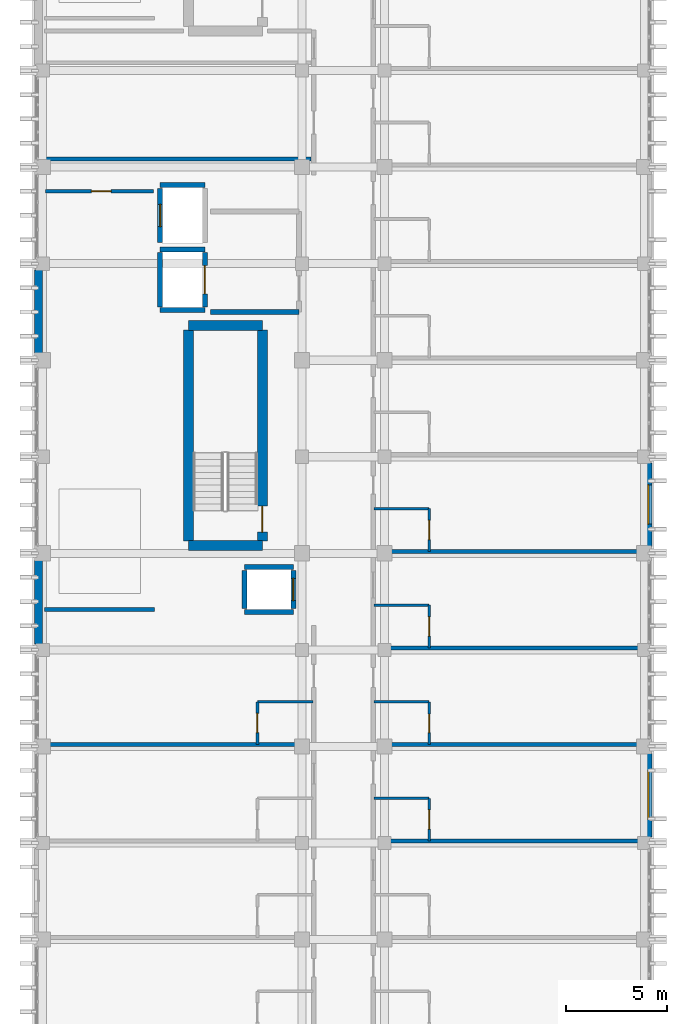
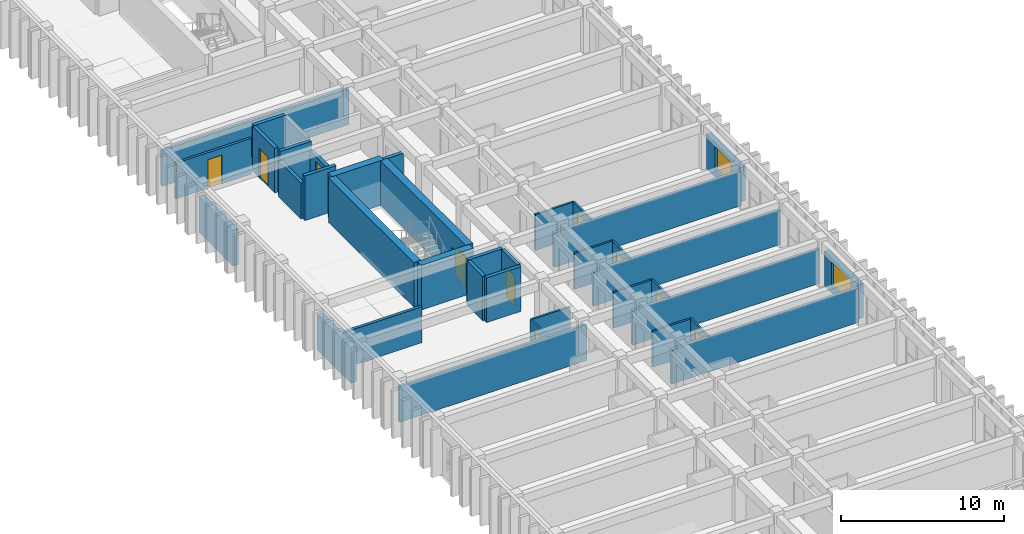
# One storey, part 51 of 64: 37 walls, 10 doors, 2 windows, 12 openings.
"""IFC4 building model written with IfcOpenShell, lengths in metres."""

from ifc_helpers import new_model, si_unit, direction, frame, frame_2d, origin, place, context, subcontext, project, spatial, rectangle, extrude, material, layer, layer_set, type_object, element, fill, save


model = new_model("IFC4")

# Units and contexts
model_context = context("Model", 3, precision=1e-05, world=origin(), true_north=direction((0.0, 1.0)))
body_context = subcontext(model_context, "Body", "Model", "MODEL_VIEW")
ifc_project = project(units=[si_unit("LENGTHUNIT", "METRE"), si_unit("AREAUNIT", "SQUARE_METRE"), si_unit("VOLUMEUNIT", "CUBIC_METRE"), si_unit("PLANEANGLEUNIT", "RADIAN"), si_unit("MASSUNIT", "GRAM", prefix="KILO")], contexts=[model_context])

# Site, building, storey
site_placement = place(None, origin())
site = spatial("IfcSite", under=ifc_project, at=site_placement, CompositionType="ELEMENT")
building_placement = place(site_placement, origin())
building = spatial("IfcBuilding", under=site, at=building_placement, Name="Nakhvara Creek Congress Hotel", CompositionType="ELEMENT")
storey_placement = place(building_placement, frame((0.0, 0.0, 28.199951171875)))
storey = spatial("IfcBuildingStorey", under=building, at=storey_placement, Name="L06", CompositionType="ELEMENT", Elevation=28.199951171875)

# Walls
ifc_material_1 = material(Name="Concrete C50/60", Category="concrete")
ifc_layer_1 = layer(ifc_material_1, 0.5)
ifc_layer_set_1 = layer_set([ifc_layer_1], Name="Concrete C50/60")
wall_type_1 = type_object("IfcWallType", Name="W-CORE-500", PredefinedType="SHEAR", material=ifc_layer_set_1)
for number, where, z_axis, x_axis, name in (
    (1, (156.699951171875, 77.179931640625, 0.0), (0.0, 0.0, 1.0), (1.0, 0.0, 0.0), "Core Shear Wall WS01-CWALL-L06-0145"),
    (2, (156.699951171875, 88.1201171875, 0.0), (0.0, 0.0, 1.0), (1.0, 0.0, 0.0), "Core Shear Wall WS01-CWALL-L06-0146"),
):
    element("IfcWall", number, at=place(storey_placement, frame(where, z_axis=z_axis, x_axis=x_axis)), inside=storey, type_object=wall_type_1, Name=name, PredefinedType="SHEAR", context=body_context, shape_type="SweptSolid", body=[
        extrude(rectangle(XDim=3.670166015625, YDim=0.5, at=frame_2d((1.8349609375, 0.0))), origin(), (0.0, 0.0, 1.0), 3.340087890625),
    ])
wall_1_placement = place(storey_placement, frame((156.699951171875, 77.39990234375, 0.0), z_axis=(0.0, 0.0, 1.0), x_axis=(0.0, 1.0, 0.0)))
element("IfcWall", 3, at=wall_1_placement, inside=storey, type_object=wall_type_1, Name="Core Shear Wall WS01-CWALL-L06-0147", PredefinedType="SHEAR", context=body_context, shape_type="SweptSolid", body=[
    extrude(rectangle(XDim=10.5, YDim=0.5, at=frame_2d((5.25, 0.0))), origin(), (0.0, 0.0, 1.0), 3.340087890625),
])

# Wall, opening, door
wall_2_placement = place(storey_placement, frame((160.3701171875, 77.39990234375, 0.0), z_axis=(0.0, 0.0, 1.0), x_axis=(0.0, 1.0, 0.0)))
wall_2 = element("IfcWall", 4, at=wall_2_placement, inside=storey, type_object=wall_type_1, Name="Core Shear Wall WS01-CWALL-L06-0148", PredefinedType="SHEAR", context=body_context, shape_type="SweptSolid", body=[
    extrude(rectangle(XDim=10.5, YDim=0.5, at=frame_2d((5.25, 0.0))), origin(), (0.0, 0.0, 1.0), 3.340087890625),
])
opening_1_placement = place(wall_2_placement, frame((0.449951171875, 0.0, 0.0)))
opening_1 = element("IfcOpeningElement", 5, at=opening_1_placement, cuts=wall_2, Name="Opening FD04", PredefinedType="OPENING", context=body_context, shape_type="SweptSolid", body=[
    extrude(rectangle(XDim=1.300048828125, YDim=2.14990234375, at=frame_2d((0.64990234375, 1.074951171875))), frame((0.0, 0.261962890625, 0.0), z_axis=(0.0, -1.0, 0.0), x_axis=(1.0, 0.0, 0.0)), (0.0, 0.0, 1.0), 0.52392578125),
])
ifc_material_2 = material(Name="Powder-coated steel fire door", Category="steel")
door_type_1 = type_object("IfcDoorType", Name="DT-STAIR-130", OperationType="NOTDEFINED", PredefinedType="DOOR", material=ifc_material_2)
door_1_placement = place(opening_1_placement, frame((1.300048828125, 0.0, 0.0), z_axis=(0.0, 0.0, 1.0), x_axis=(-1.0, 0.0, 0.0)))
door_1 = element("IfcDoor", 6, at=door_1_placement, inside=storey, type_object=door_type_1, Name="Stair Exit Door ST01-L06", OperationType="SINGLE_SWING_LEFT", OverallHeight=2.14990234375, OverallWidth=1.300048828125, PredefinedType="DOOR", context=body_context, shape_type="SweptSolid", body=[
    extrude(rectangle(XDim=1.300048828125, YDim=2.14990234375, at=frame_2d((0.64990234375, 1.074951171875))), frame((0.0, 0.02490234375, 0.0), z_axis=(0.0, -1.0, 0.0), x_axis=(1.0, 0.0, 0.0)), (0.0, 0.0, 1.0), 0.050048828125),
])
fill(opening_1, door_1)

ifc_material_3 = material(Name="Moisture-resistant gypsum board partition")
ifc_layer_2 = layer(ifc_material_3, 0.139892578125)
ifc_layer_set_2 = layer_set([ifc_layer_2], Name="Moisture-resistant gypsum board partition")
wall_type_2 = type_object("IfcWallType", Name="W-ENS-140", PredefinedType="PARTITIONING", material=ifc_layer_set_2)
wall_3_placement = place(storey_placement, frame((160.1298828125, 67.300048828125, 0.0), z_axis=(0.0, 0.0, 1.0), x_axis=(0.0, 1.0, 0.0)))
wall_3 = element("IfcWall", 7, at=wall_3_placement, inside=storey, type_object=wall_type_2, Name="Interior Wall WP15-IW-L06-0463", PredefinedType="PARTITIONING", context=body_context, shape_type="SweptSolid", body=[
    extrude(rectangle(XDim=2.115966796875, YDim=0.139892578125, at=frame_2d((1.05810546875, 0.0))), origin(), (0.0, 0.0, 1.0), 2.68212890625),
])
opening_2_placement = place(wall_3_placement, frame((0.5830078125, 0.0, 0.0)))
opening_2 = element("IfcOpeningElement", 8, at=opening_2_placement, cuts=wall_3, Name="Opening ID02", PredefinedType="OPENING", context=body_context, shape_type="SweptSolid", body=[
    extrude(rectangle(XDim=0.9599609375, YDim=2.1201171875, at=frame_2d((0.47998046875, 1.06005859375))), frame((0.0, 0.08203125, 0.0), z_axis=(0.0, -1.0, 0.0), x_axis=(1.0, 0.0, 0.0)), (0.0, 0.0, 1.0), 0.163818359375),
])
ifc_material_4 = material(Name="Moisture-resistant walnut timber door", Category="wood")
door_type_2 = type_object("IfcDoorType", Name="DT-ENS-096", OperationType="NOTDEFINED", PredefinedType="DOOR", material=ifc_material_4)
door_2_placement = place(opening_2_placement, origin())
door_2 = element("IfcDoor", 9, at=door_2_placement, inside=storey, type_object=door_type_2, Name="Interior Door ID02-0359", OperationType="SINGLE_SWING_RIGHT", OverallHeight=2.1201171875, OverallWidth=0.9599609375, PredefinedType="DOOR", context=body_context, shape_type="SweptSolid", body=[
    extrude(rectangle(XDim=0.9599609375, YDim=2.1201171875, at=frame_2d((0.47998046875, 1.06005859375))), frame((0.0, 0.02490234375, 0.0), z_axis=(0.0, -1.0, 0.0), x_axis=(1.0, 0.0, 0.0)), (0.0, 0.0, 1.0), 0.050048828125),
])
fill(opening_2, door_2)

# Wall
wall_4_placement = place(storey_placement, frame((160.1298828125, 69.416015625, 0.0), z_axis=(0.0, 0.0, 1.0), x_axis=(1.0, 0.0, 0.0)))
element("IfcWall", 10, at=wall_4_placement, inside=storey, type_object=wall_type_2, Name="Interior Wall WP15-IW-L06-0464", PredefinedType="PARTITIONING", context=body_context, shape_type="SweptSolid", body=[
    extrude(rectangle(XDim=2.75, YDim=0.139892578125, at=frame_2d((1.375, 0.0))), origin(), (0.0, 0.0, 1.0), 2.68212890625),
])

# Wall, opening, door
wall_5_placement = place(storey_placement, frame((168.669921875, 62.5, 0.0), z_axis=(0.0, 0.0, 1.0), x_axis=(0.0, 1.0, 0.0)))
wall_5 = element("IfcWall", 11, at=wall_5_placement, inside=storey, type_object=wall_type_2, Name="Interior Wall WP15-IW-L06-0480", PredefinedType="PARTITIONING", context=body_context, shape_type="SweptSolid", body=[
    extrude(rectangle(XDim=2.115966796875, YDim=0.139892578125, at=frame_2d((1.05810546875, 0.0))), origin(), (0.0, 0.0, 1.0), 2.68212890625),
])
opening_3_placement = place(wall_5_placement, frame((0.5830078125, 0.0, 0.0)))
opening_3 = element("IfcOpeningElement", 12, at=opening_3_placement, cuts=wall_5, Name="Opening ID02", PredefinedType="OPENING", context=body_context, shape_type="SweptSolid", body=[
    extrude(rectangle(XDim=0.9599609375, YDim=2.1201171875, at=frame_2d((0.47998046875, 1.06005859375))), frame((0.0, 0.08203125, 0.0), z_axis=(0.0, -1.0, 0.0), x_axis=(1.0, 0.0, 0.0)), (0.0, 0.0, 1.0), 0.163818359375),
])
door_3_placement = place(opening_3_placement, frame((0.9599609375, 0.0, 0.0), z_axis=(0.0, 0.0, 1.0), x_axis=(-1.0, 0.0, 0.0)))
door_3 = element("IfcDoor", 13, at=door_3_placement, inside=storey, type_object=door_type_2, Name="Interior Door ID02-0371", OperationType="SINGLE_SWING_RIGHT", OverallHeight=2.1201171875, OverallWidth=0.9599609375, PredefinedType="DOOR", context=body_context, shape_type="SweptSolid", body=[
    extrude(rectangle(XDim=0.9599609375, YDim=2.1201171875, at=frame_2d((0.47998046875, 1.06005859375))), frame((0.0, 0.02490234375, 0.0), z_axis=(0.0, -1.0, 0.0), x_axis=(1.0, 0.0, 0.0)), (0.0, 0.0, 1.0), 0.050048828125),
])
fill(opening_3, door_3)

# Wall
wall_6_placement = place(storey_placement, frame((165.919921875, 64.615966796875, 0.0), z_axis=(0.0, 0.0, 1.0), x_axis=(1.0, 0.0, 0.0)))
element("IfcWall", 14, at=wall_6_placement, inside=storey, type_object=wall_type_2, Name="Interior Wall WP15-IW-L06-0481", PredefinedType="PARTITIONING", context=body_context, shape_type="SweptSolid", body=[
    extrude(rectangle(XDim=2.75, YDim=0.139892578125, at=frame_2d((1.375, 0.0))), origin(), (0.0, 0.0, 1.0), 2.68212890625),
])

# Wall, opening, door
wall_7_placement = place(storey_placement, frame((168.669921875, 67.300048828125, 0.0), z_axis=(0.0, 0.0, 1.0), x_axis=(0.0, 1.0, 0.0)))
wall_7 = element("IfcWall", 15, at=wall_7_placement, inside=storey, type_object=wall_type_2, Name="Interior Wall WP15-IW-L06-0483", PredefinedType="PARTITIONING", context=body_context, shape_type="SweptSolid", body=[
    extrude(rectangle(XDim=2.115966796875, YDim=0.139892578125, at=frame_2d((1.05810546875, 0.0))), origin(), (0.0, 0.0, 1.0), 2.68212890625),
])
opening_4_placement = place(wall_7_placement, frame((0.5830078125, 0.0, 0.0)))
opening_4 = element("IfcOpeningElement", 16, at=opening_4_placement, cuts=wall_7, Name="Opening ID01", PredefinedType="OPENING", context=body_context, shape_type="SweptSolid", body=[
    extrude(rectangle(XDim=0.919921875, YDim=2.10009765625, at=frame_2d((0.4599609375, 1.050048828125))), frame((0.0, 0.08203125, 0.0), z_axis=(0.0, -1.0, 0.0), x_axis=(1.0, 0.0, 0.0)), (0.0, 0.0, 1.0), 0.163818359375),
])
door_type_3 = type_object("IfcDoorType", Name="DT-ENS-092", OperationType="NOTDEFINED", PredefinedType="DOOR", material=ifc_material_4)
door_4_placement = place(opening_4_placement, frame((0.919921875, 0.0, 0.0), z_axis=(0.0, 0.0, 1.0), x_axis=(-1.0, 0.0, 0.0)))
door_4 = element("IfcDoor", 17, at=door_4_placement, inside=storey, type_object=door_type_3, Name="Interior Door ID01-0373", OperationType="SINGLE_SWING_RIGHT", OverallHeight=2.10009765625, OverallWidth=0.919921875, PredefinedType="DOOR", context=body_context, shape_type="SweptSolid", body=[
    extrude(rectangle(XDim=0.919921875, YDim=2.10009765625, at=frame_2d((0.4599609375, 1.050048828125))), frame((0.0, 0.02490234375, 0.0), z_axis=(0.0, -1.0, 0.0), x_axis=(1.0, 0.0, 0.0)), (0.0, 0.0, 1.0), 0.050048828125),
])
fill(opening_4, door_4)

# Wall
wall_8_placement = place(storey_placement, frame((165.919921875, 69.416015625, 0.0), z_axis=(0.0, 0.0, 1.0), x_axis=(1.0, 0.0, 0.0)))
element("IfcWall", 18, at=wall_8_placement, inside=storey, type_object=wall_type_2, Name="Interior Wall WP15-IW-L06-0484", PredefinedType="PARTITIONING", context=body_context, shape_type="SweptSolid", body=[
    extrude(rectangle(XDim=2.75, YDim=0.139892578125, at=frame_2d((1.375, 0.0))), origin(), (0.0, 0.0, 1.0), 2.68212890625),
])

# Wall, opening, door
wall_9_placement = place(storey_placement, frame((168.669921875, 72.10009765625, 0.0), z_axis=(0.0, 0.0, 1.0), x_axis=(0.0, 1.0, 0.0)))
wall_9 = element("IfcWall", 19, at=wall_9_placement, inside=storey, type_object=wall_type_2, Name="Interior Wall WP15-IW-L06-0486", PredefinedType="PARTITIONING", context=body_context, shape_type="SweptSolid", body=[
    extrude(rectangle(XDim=2.115966796875, YDim=0.139892578125, at=frame_2d((1.05810546875, 0.0))), origin(), (0.0, 0.0, 1.0), 2.68212890625),
])
opening_5_placement = place(wall_9_placement, frame((0.5830078125, 0.0, 0.0)))
opening_5 = element("IfcOpeningElement", 20, at=opening_5_placement, cuts=wall_9, Name="Opening ID02", PredefinedType="OPENING", context=body_context, shape_type="SweptSolid", body=[
    extrude(rectangle(XDim=0.9599609375, YDim=2.1201171875, at=frame_2d((0.47998046875, 1.06005859375))), frame((0.0, 0.08203125, 0.0), z_axis=(0.0, -1.0, 0.0), x_axis=(1.0, 0.0, 0.0)), (0.0, 0.0, 1.0), 0.163818359375),
])
door_5_placement = place(opening_5_placement, frame((0.9599609375, 0.0, 0.0), z_axis=(0.0, 0.0, 1.0), x_axis=(-1.0, 0.0, 0.0)))
door_5 = element("IfcDoor", 21, at=door_5_placement, inside=storey, type_object=door_type_2, Name="Interior Door ID02-0375", OperationType="SINGLE_SWING_RIGHT", OverallHeight=2.1201171875, OverallWidth=0.9599609375, PredefinedType="DOOR", context=body_context, shape_type="SweptSolid", body=[
    extrude(rectangle(XDim=0.9599609375, YDim=2.1201171875, at=frame_2d((0.47998046875, 1.06005859375))), frame((0.0, 0.02490234375, 0.0), z_axis=(0.0, -1.0, 0.0), x_axis=(1.0, 0.0, 0.0)), (0.0, 0.0, 1.0), 0.050048828125),
])
fill(opening_5, door_5)

# Wall
wall_10_placement = place(storey_placement, frame((165.919921875, 74.216064453125, 0.0), z_axis=(0.0, 0.0, 1.0), x_axis=(1.0, 0.0, 0.0)))
element("IfcWall", 22, at=wall_10_placement, inside=storey, type_object=wall_type_2, Name="Interior Wall WP15-IW-L06-0487", PredefinedType="PARTITIONING", context=body_context, shape_type="SweptSolid", body=[
    extrude(rectangle(XDim=2.75, YDim=0.139892578125, at=frame_2d((1.375, 0.0))), origin(), (0.0, 0.0, 1.0), 2.68212890625),
])

# Wall, opening, door
wall_11_placement = place(storey_placement, frame((168.669921875, 76.89990234375, 0.0), z_axis=(0.0, 0.0, 1.0), x_axis=(0.0, 1.0, 0.0)))
wall_11 = element("IfcWall", 23, at=wall_11_placement, inside=storey, type_object=wall_type_2, Name="Interior Wall WP15-IW-L06-0489", PredefinedType="PARTITIONING", context=body_context, shape_type="SweptSolid", body=[
    extrude(rectangle(XDim=2.1162109375, YDim=0.139892578125, at=frame_2d((1.05810546875, 0.0))), origin(), (0.0, 0.0, 1.0), 2.68212890625),
])
opening_6_placement = place(wall_11_placement, frame((0.5830078125, 0.0, 0.0)))
opening_6 = element("IfcOpeningElement", 24, at=opening_6_placement, cuts=wall_11, Name="Opening ID02", PredefinedType="OPENING", context=body_context, shape_type="SweptSolid", body=[
    extrude(rectangle(XDim=0.9599609375, YDim=2.1201171875, at=frame_2d((0.47998046875, 1.06005859375))), frame((0.0, 0.08203125, 0.0), z_axis=(0.0, -1.0, 0.0), x_axis=(1.0, 0.0, 0.0)), (0.0, 0.0, 1.0), 0.163818359375),
])
door_6_placement = place(opening_6_placement, frame((0.9599609375, 0.0, 0.0), z_axis=(0.0, 0.0, 1.0), x_axis=(-1.0, 0.0, 0.0)))
door_6 = element("IfcDoor", 25, at=door_6_placement, inside=storey, type_object=door_type_2, Name="Interior Door ID02-0377", OperationType="SINGLE_SWING_RIGHT", OverallHeight=2.1201171875, OverallWidth=0.9599609375, PredefinedType="DOOR", context=body_context, shape_type="SweptSolid", body=[
    extrude(rectangle(XDim=0.9599609375, YDim=2.1201171875, at=frame_2d((0.47998046875, 1.06005859375))), frame((0.0, 0.02490234375, 0.0), z_axis=(0.0, -1.0, 0.0), x_axis=(1.0, 0.0, 0.0)), (0.0, 0.0, 1.0), 0.050048828125),
])
fill(opening_6, door_6)

# Wall
wall_12_placement = place(storey_placement, frame((165.919921875, 79.01611328125, 0.0), z_axis=(0.0, 0.0, 1.0), x_axis=(1.0, 0.0, 0.0)))
element("IfcWall", 26, at=wall_12_placement, inside=storey, type_object=wall_type_2, Name="Interior Wall WP15-IW-L06-0490", PredefinedType="PARTITIONING", context=body_context, shape_type="SweptSolid", body=[
    extrude(rectangle(XDim=2.75, YDim=0.139892578125, at=frame_2d((1.375, 0.0))), origin(), (0.0, 0.0, 1.0), 2.68212890625),
])

# Wall, opening, window
ifc_material_5 = material(Name="Honed pale Omani limestone cladding", Category="masonry")
ifc_layer_3 = layer(ifc_material_5, 0.050048828125)
ifc_material_6 = material(Name="Mineral wool thermal insulation")
ifc_layer_4 = layer(ifc_material_6, 0.110107421875)
ifc_material_7 = material(Name="Precast concrete C40/50", Category="concrete")
ifc_layer_5 = layer(ifc_material_7, 0.219970703125)
ifc_layer_set_3 = layer_set([ifc_layer_3, ifc_layer_4, ifc_layer_5], Name="Precast concrete C40/50")
wall_type_3 = type_object("IfcWallType", Name="W-EXT-380", PredefinedType="SOLIDWALL", material=ifc_layer_set_3)
wall_13_placement = place(storey_placement, frame((179.56005859375, 66.85009765625, 0.0), z_axis=(0.0, 0.0, 1.0), x_axis=(0.0, -1.0, 0.0)))
wall_13 = element("IfcWall", 27, at=wall_13_placement, inside=storey, type_object=wall_type_3, Name="Exterior Wall WE03-EW-L06-0167", PredefinedType="SOLIDWALL", context=body_context, shape_type="SweptSolid", body=[
    extrude(rectangle(XDim=4.150146484375, YDim=0.3798828125, at=frame_2d((2.0751953125, 0.0))), origin(), (0.0, 0.0, 1.0), 2.58203125),
])
opening_7_placement = place(wall_13_placement, frame((0.875, 0.0, 0.550048828125)))
opening_7 = element("IfcOpeningElement", 28, at=opening_7_placement, cuts=wall_13, Name="Opening WN0181", PredefinedType="OPENING", context=body_context, shape_type="SweptSolid", body=[
    extrude(rectangle(XDim=2.39990234375, YDim=1.800048828125, at=frame_2d((1.199951171875, 0.89990234375))), frame((0.0, 0.201904296875, 0.0), z_axis=(0.0, -1.0, 0.0), x_axis=(1.0, 0.0, 0.0)), (0.0, 0.0, 1.0), 0.40380859375),
])
ifc_material_8 = material(Name="Thermally broken bronze-anodised aluminium and double-silver low-E insulated glass", Category="aluminium")
window_type_1 = type_object("IfcWindowType", Name="WN-LAN-240X240", PartitioningType="SINGLE_PANEL", PredefinedType="WINDOW", material=ifc_material_8)
window_1_placement = place(opening_7_placement, origin())
window_1 = element("IfcWindow", 29, at=window_1_placement, inside=storey, type_object=window_type_1, Name="Facade Window WN0181", OverallHeight=1.800048828125, OverallWidth=2.39990234375, PartitioningType="SINGLE_PANEL", PredefinedType="WINDOW", context=body_context, shape_type="SweptSolid", body=[
    extrude(rectangle(XDim=2.39990234375, YDim=1.800048828125, at=frame_2d((1.199951171875, 0.89990234375))), frame((0.0, 0.030029296875, 0.0), z_axis=(0.0, -1.0, 0.0), x_axis=(1.0, 0.0, 0.0)), (0.0, 0.0, 1.0), 0.06005859375),
])
fill(opening_7, window_1)

# Wall
wall_14_placement = place(storey_placement, frame((149.239990234375, 72.300048828125, 0.0), z_axis=(0.0, 0.0, 1.0), x_axis=(0.0, 1.0, 0.0)))
element("IfcWall", 30, at=wall_14_placement, inside=storey, type_object=wall_type_3, Name="Exterior Wall WE03-EW-L06-0168", PredefinedType="SOLIDWALL", context=body_context, shape_type="SweptSolid", body=[
    extrude(rectangle(XDim=4.14990234375, YDim=0.3798828125, at=frame_2d((2.074951171875, 0.0))), origin(), (0.0, 0.0, 1.0), 2.68212890625),
])

# Wall, opening, window
wall_15_placement = place(storey_placement, frame((179.56005859375, 81.300048828125, 0.0), z_axis=(0.0, 0.0, 1.0), x_axis=(0.0, -1.0, 0.0)))
wall_15 = element("IfcWall", 31, at=wall_15_placement, inside=storey, type_object=wall_type_3, Name="Exterior Wall WE03-EW-L06-0169", PredefinedType="SOLIDWALL", context=body_context, shape_type="SweptSolid", body=[
    extrude(rectangle(XDim=4.150146484375, YDim=0.3798828125, at=frame_2d((2.0751953125, 0.0))), origin(), (0.0, 0.0, 1.0), 2.58203125),
])
opening_8_placement = place(wall_15_placement, frame((1.10009765625, 0.0, 0.550048828125)))
opening_8 = element("IfcOpeningElement", 32, at=opening_8_placement, cuts=wall_15, Name="Opening WN0182", PredefinedType="OPENING", context=body_context, shape_type="SweptSolid", body=[
    extrude(rectangle(XDim=1.949951171875, YDim=1.77001953125, at=frame_2d((0.97509765625, 0.885009765625))), frame((0.0, 0.201904296875, 0.0), z_axis=(0.0, -1.0, 0.0), x_axis=(1.0, 0.0, 0.0)), (0.0, 0.0, 1.0), 0.40380859375),
])
window_type_2 = type_object("IfcWindowType", Name="WN-LAN-195X230", PartitioningType="SINGLE_PANEL", PredefinedType="WINDOW", material=ifc_material_8)
window_2_placement = place(opening_8_placement, origin())
window_2 = element("IfcWindow", 33, at=window_2_placement, inside=storey, type_object=window_type_2, Name="Facade Window WN0182", OverallHeight=1.77001953125, OverallWidth=1.949951171875, PartitioningType="SINGLE_PANEL", PredefinedType="WINDOW", context=body_context, shape_type="SweptSolid", body=[
    extrude(rectangle(XDim=1.949951171875, YDim=1.77001953125, at=frame_2d((0.97509765625, 0.885009765625))), frame((0.0, 0.030029296875, 0.0), z_axis=(0.0, -1.0, 0.0), x_axis=(1.0, 0.0, 0.0)), (0.0, 0.0, 1.0), 0.06005859375),
])
fill(opening_8, window_2)

# Walls
wall_16_placement = place(storey_placement, frame((149.239990234375, 86.75, 0.0), z_axis=(0.0, 0.0, 1.0), x_axis=(0.0, 1.0, 0.0)))
element("IfcWall", 34, at=wall_16_placement, inside=storey, type_object=wall_type_3, Name="Exterior Wall WE03-EW-L06-0170", PredefinedType="SOLIDWALL", context=body_context, shape_type="SweptSolid", body=[
    extrude(rectangle(XDim=4.14990234375, YDim=0.3798828125, at=frame_2d((2.074951171875, 0.0))), origin(), (0.0, 0.0, 1.0), 2.68212890625),
])
ifc_material_9 = material(Name="Concrete C40/50", Category="concrete")
ifc_layer_6 = layer(ifc_material_9, 0.260009765625)
ifc_layer_set_4 = layer_set([ifc_layer_6], Name="Concrete C40/50")
wall_type_4 = type_object("IfcWallType", Name="W-FFL-260", PredefinedType="SOLIDWALL", material=ifc_layer_set_4)
wall_17_placement = place(storey_placement, frame((157.800048828125, 88.800048828125, 0.0), z_axis=(0.0, 0.0, 1.0), x_axis=(1.0, 0.0, 0.0)))
element("IfcWall", 35, at=wall_17_placement, inside=storey, type_object=wall_type_4, Name="Core Shear Wall WI03-CWALL-L06-0161", PredefinedType="SOLIDWALL", context=body_context, shape_type="SweptSolid", body=[
    extrude(rectangle(XDim=4.39990234375, YDim=0.260009765625, at=frame_2d((2.199951171875, 0.0))), origin(), (0.0, 0.0, 1.0), 2.68212890625),
])

# Wall, opening, door
ifc_material_10 = material(Name="Gypsum acoustic board on steel stud", Category="steel")
ifc_layer_7 = layer(ifc_material_10, 0.179931640625)
ifc_layer_set_5 = layer_set([ifc_layer_7], Name="Gypsum acoustic board on steel stud")
wall_type_5 = type_object("IfcWallType", Name="W-MEET-180", PredefinedType="PARTITIONING", material=ifc_layer_set_5)
wall_18_placement = place(storey_placement, frame((149.60009765625, 94.800048828125, 0.0), z_axis=(0.0, 0.0, 1.0), x_axis=(1.0, 0.0, 0.0)))
wall_18 = element("IfcWall", 36, at=wall_18_placement, inside=storey, type_object=wall_type_5, Name="Interior Wall WP13-IW-L06-0448", PredefinedType="PARTITIONING", context=body_context, shape_type="SweptSolid", body=[
    extrude(rectangle(XDim=5.349853515625, YDim=0.179931640625, at=frame_2d((2.6748046875, 0.0))), origin(), (0.0, 0.0, 1.0), 2.68212890625),
])
opening_9_placement = place(wall_18_placement, frame((2.27490234375, 0.0, 0.0)))
opening_9 = element("IfcOpeningElement", 37, at=opening_9_placement, cuts=wall_18, Name="Opening MD03", PredefinedType="OPENING", context=body_context, shape_type="SweptSolid", body=[
    extrude(rectangle(XDim=0.97998046875, YDim=2.14990234375, at=frame_2d((0.489990234375, 1.074951171875))), frame((0.0, 0.10205078125, 0.0), z_axis=(0.0, -1.0, 0.0), x_axis=(1.0, 0.0, 0.0)), (0.0, 0.0, 1.0), 0.203857421875),
])
ifc_material_11 = material(Name="Acoustic ISO 2603 sound-lock timber door", Category="wood")
door_type_4 = type_object("IfcDoorType", Name="DT-ISO-098", OperationType="NOTDEFINED", PredefinedType="DOOR", material=ifc_material_11)
door_7_placement = place(opening_9_placement, origin())
door_7 = element("IfcDoor", 38, at=door_7_placement, inside=storey, type_object=door_type_4, Name="Interior Door MD03-0349", OperationType="SINGLE_SWING_RIGHT", OverallHeight=2.14990234375, OverallWidth=0.97998046875, PredefinedType="DOOR", context=body_context, shape_type="SweptSolid", body=[
    extrude(rectangle(XDim=0.97998046875, YDim=2.14990234375, at=frame_2d((0.489990234375, 1.074951171875))), frame((0.0, 0.02490234375, 0.0), z_axis=(0.0, -1.0, 0.0), x_axis=(1.0, 0.0, 0.0)), (0.0, 0.0, 1.0), 0.050048828125),
])
fill(opening_9, door_7)

# Walls
ifc_layer_8 = layer(ifc_material_10, 0.199951171875)
ifc_layer_set_6 = layer_set([ifc_layer_8], Name="Gypsum acoustic board on steel stud")
wall_type_6 = type_object("IfcWallType", Name="W-PART-200", PredefinedType="PARTITIONING", material=ifc_layer_set_6)
wall_19_placement = place(storey_placement, frame((149.550048828125, 96.39990234375, 0.0), z_axis=(0.0, 0.0, 1.0), x_axis=(1.0, 0.0, 0.0)))
element("IfcWall", 39, at=wall_19_placement, inside=storey, type_object=wall_type_6, Name="Interior Wall WP12-IW-L06-0443", PredefinedType="PARTITIONING", context=body_context, shape_type="SweptSolid", body=[
    extrude(rectangle(XDim=13.22998046875, YDim=0.199951171875, at=frame_2d((6.614990234375, 0.0))), origin(), (0.0, 0.0, 1.0), 2.68212890625),
])
wall_20_placement = place(storey_placement, frame((149.550048828125, 74.0, 0.0), z_axis=(0.0, 0.0, 1.0), x_axis=(1.0, 0.0, 0.0)))
element("IfcWall", 40, at=wall_20_placement, inside=storey, type_object=wall_type_6, Name="Interior Wall WP12-IW-L06-0447", PredefinedType="PARTITIONING", context=body_context, shape_type="SweptSolid", body=[
    extrude(rectangle(XDim=5.449951171875, YDim=0.199951171875, at=frame_2d((2.72509765625, 0.0))), origin(), (0.0, 0.0, 1.0), 2.68212890625),
])
wall_21_placement = place(storey_placement, frame((149.550048828125, 67.300048828125, 0.0), z_axis=(0.0, 0.0, 1.0), x_axis=(1.0, 0.0, 0.0)))
element("IfcWall", 41, at=wall_21_placement, inside=storey, type_object=wall_type_6, Name="Interior Wall WP12-IW-L06-0462", PredefinedType="PARTITIONING", context=body_context, shape_type="SweptSolid", body=[
    extrude(rectangle(XDim=13.22998046875, YDim=0.199951171875, at=frame_2d((6.614990234375, 0.0))), origin(), (0.0, 0.0, 1.0), 2.68212890625),
])
for number, where, z_axis, x_axis, name in (
    (42, (166.02001953125, 62.5, 0.0), (0.0, 0.0, 1.0), (1.0, 0.0, 0.0), "Interior Wall WP12-IW-L06-0479"),
    (43, (166.02001953125, 67.300048828125, 0.0), (0.0, 0.0, 1.0), (1.0, 0.0, 0.0), "Interior Wall WP12-IW-L06-0482"),
    (44, (166.02001953125, 72.10009765625, 0.0), (0.0, 0.0, 1.0), (1.0, 0.0, 0.0), "Interior Wall WP12-IW-L06-0485"),
    (45, (166.02001953125, 76.89990234375, 0.0), (0.0, 0.0, 1.0), (1.0, 0.0, 0.0), "Interior Wall WP12-IW-L06-0488"),
):
    element("IfcWall", number, at=place(storey_placement, frame(where, z_axis=z_axis, x_axis=x_axis)), inside=storey, type_object=wall_type_6, Name=name, PredefinedType="PARTITIONING", context=body_context, shape_type="SweptSolid", body=[
        extrude(rectangle(XDim=13.22998046875, YDim=0.199951171875, at=frame_2d((6.614990234375, 0.0))), origin(), (0.0, 0.0, 1.0), 2.58203125),
    ])
ifc_layer_9 = layer(ifc_material_9, 0.25)
ifc_layer_set_7 = layer_set([ifc_layer_9], Name="Concrete C40/50")
wall_type_7 = type_object("IfcWallType", Name="W-SHAFT-250", PredefinedType="SOLIDWALL", material=ifc_layer_set_7)
for number, where, z_axis, x_axis, name in (
    (46, (155.2900390625, 88.889892578125, 0.0), (0.0, 0.0, 1.0), (1.0, 0.0, 0.0), "Core Shear Wall WI02-CWALL-L06-0149"),
    (47, (155.2900390625, 91.909912109375, 0.0), (0.0, 0.0, 1.0), (1.0, 0.0, 0.0), "Core Shear Wall WI02-CWALL-L06-0150"),
):
    element("IfcWall", number, at=place(storey_placement, frame(where, z_axis=z_axis, x_axis=x_axis)), inside=storey, type_object=wall_type_7, Name=name, PredefinedType="SOLIDWALL", context=body_context, shape_type="SweptSolid", body=[
        extrude(rectangle(XDim=2.219970703125, YDim=0.25, at=frame_2d((1.10986328125, 0.0))), origin(), (0.0, 0.0, 1.0), 3.340087890625),
    ])
wall_22_placement = place(storey_placement, frame((155.2900390625, 89.050048828125, 0.0), z_axis=(0.0, 0.0, 1.0), x_axis=(0.0, 1.0, 0.0)))
element("IfcWall", 48, at=wall_22_placement, inside=storey, type_object=wall_type_7, Name="Core Shear Wall WI02-CWALL-L06-0151", PredefinedType="SOLIDWALL", context=body_context, shape_type="SweptSolid", body=[
    extrude(rectangle(XDim=2.699951171875, YDim=0.25, at=frame_2d((1.35009765625, 0.0))), origin(), (0.0, 0.0, 1.0), 2.68212890625),
])

# Wall, opening, door
wall_23_placement = place(storey_placement, frame((157.510009765625, 89.050048828125, 0.0), z_axis=(0.0, 0.0, 1.0), x_axis=(0.0, 1.0, 0.0)))
wall_23 = element("IfcWall", 49, at=wall_23_placement, inside=storey, type_object=wall_type_7, Name="Core Shear Wall WI02-CWALL-L06-0152", PredefinedType="SOLIDWALL", context=body_context, shape_type="SweptSolid", body=[
    extrude(rectangle(XDim=2.699951171875, YDim=0.25, at=frame_2d((1.35009765625, 0.0))), origin(), (0.0, 0.0, 1.0), 2.68212890625),
])
opening_10_placement = place(wall_23_placement, frame((0.64990234375, 0.0, 0.0)))
opening_10 = element("IfcOpeningElement", 50, at=opening_10_placement, cuts=wall_23, Name="Opening LD02", PredefinedType="OPENING", context=body_context, shape_type="SweptSolid", body=[
    extrude(rectangle(XDim=1.39990234375, YDim=2.300048828125, at=frame_2d((0.699951171875, 1.14990234375))), frame((0.0, 0.136962890625, 0.0), z_axis=(0.0, -1.0, 0.0), x_axis=(1.0, 0.0, 0.0)), (0.0, 0.0, 1.0), 0.27392578125),
])
ifc_material_12 = material(Name="Brushed stainless steel heavy goods landing door", Category="steel")
door_type_5 = type_object("IfcDoorType", Name="DT-LIFT-140", OperationType="DOUBLE_DOOR_SLIDING", PredefinedType="DOOR", material=ifc_material_12)
door_8_placement = place(opening_10_placement, origin())
door_8 = element("IfcDoor", 51, at=door_8_placement, inside=storey, type_object=door_type_5, Name="Landing Door FFL1-L06", OperationType="SLIDING_TO_LEFT", OverallHeight=2.300048828125, OverallWidth=1.39990234375, PredefinedType="DOOR", context=body_context, shape_type="SweptSolid", body=[
    extrude(rectangle(XDim=1.39990234375, YDim=2.300048828125, at=frame_2d((0.699951171875, 1.14990234375))), frame((0.0, 0.02490234375, 0.0), z_axis=(0.0, -1.0, 0.0), x_axis=(1.0, 0.0, 0.0)), (0.0, 0.0, 1.0), 0.050048828125),
])
fill(opening_10, door_8)

# Wall
wall_24_placement = place(storey_placement, frame((155.2900390625, 95.110107421875, 0.0), z_axis=(0.0, 0.0, 1.0), x_axis=(1.0, 0.0, 0.0)))
element("IfcWall", 52, at=wall_24_placement, inside=storey, type_object=wall_type_7, Name="Core Shear Wall WI02-CWALL-L06-0153", PredefinedType="SOLIDWALL", context=body_context, shape_type="SweptSolid", body=[
    extrude(rectangle(XDim=2.219970703125, YDim=0.25, at=frame_2d((1.10986328125, 0.0))), origin(), (0.0, 0.0, 1.0), 3.340087890625),
])

# Wall, opening, door
wall_25_placement = place(storey_placement, frame((155.2900390625, 92.25, 0.0), z_axis=(0.0, 0.0, 1.0), x_axis=(0.0, 1.0, 0.0)))
wall_25 = element("IfcWall", 53, at=wall_25_placement, inside=storey, type_object=wall_type_7, Name="Core Shear Wall WI02-CWALL-L06-0154", PredefinedType="SOLIDWALL", context=body_context, shape_type="SweptSolid", body=[
    extrude(rectangle(XDim=2.699951171875, YDim=0.25, at=frame_2d((1.35009765625, 0.0))), origin(), (0.0, 0.0, 1.0), 3.340087890625),
])
opening_11_placement = place(wall_25_placement, frame((0.800048828125, 0.0, 0.0)))
opening_11 = element("IfcOpeningElement", 54, at=opening_11_placement, cuts=wall_25, Name="Opening LD01", PredefinedType="OPENING", context=body_context, shape_type="SweptSolid", body=[
    extrude(rectangle(XDim=1.10009765625, YDim=2.199951171875, at=frame_2d((0.550048828125, 1.10009765625))), frame((0.0, 0.136962890625, 0.0), z_axis=(0.0, -1.0, 0.0), x_axis=(1.0, 0.0, 0.0)), (0.0, 0.0, 1.0), 0.27392578125),
])
ifc_material_13 = material(Name="Brushed stainless steel sliding landing door", Category="steel")
door_type_6 = type_object("IfcDoorType", Name="DT-LIFT-110", OperationType="DOUBLE_DOOR_SLIDING", PredefinedType="DOOR", material=ifc_material_13)
door_9_placement = place(opening_11_placement, origin())
door_9 = element("IfcDoor", 55, at=door_9_placement, inside=storey, type_object=door_type_6, Name="Landing Door SL01-L06", OperationType="SLIDING_TO_LEFT", OverallHeight=2.199951171875, OverallWidth=1.10009765625, PredefinedType="DOOR", context=body_context, shape_type="SweptSolid", body=[
    extrude(rectangle(XDim=1.10009765625, YDim=2.199951171875, at=frame_2d((0.550048828125, 1.10009765625))), frame((0.0, 0.02490234375, 0.0), z_axis=(0.0, -1.0, 0.0), x_axis=(1.0, 0.0, 0.0)), (0.0, 0.0, 1.0), 0.050048828125),
])
fill(opening_11, door_9)

# Walls
for number, where, z_axis, x_axis, name in (
    (56, (159.489990234375, 73.889892578125, 0.0), (0.0, 0.0, 1.0), (1.0, 0.0, 0.0), "Core Shear Wall WI02-CWALL-L06-0156"),
    (57, (159.489990234375, 76.110107421875, 0.0), (0.0, 0.0, 1.0), (1.0, 0.0, 0.0), "Core Shear Wall WI02-CWALL-L06-0157"),
):
    element("IfcWall", number, at=place(storey_placement, frame(where, z_axis=z_axis, x_axis=x_axis)), inside=storey, type_object=wall_type_7, Name=name, PredefinedType="SOLIDWALL", context=body_context, shape_type="SweptSolid", body=[
        extrude(rectangle(XDim=2.419921875, YDim=0.25, at=frame_2d((1.2099609375, 0.0))), origin(), (0.0, 0.0, 1.0), 3.340087890625),
    ])
wall_26_placement = place(storey_placement, frame((159.489990234375, 74.050048828125, 0.0), z_axis=(0.0, 0.0, 1.0), x_axis=(0.0, 1.0, 0.0)))
element("IfcWall", 58, at=wall_26_placement, inside=storey, type_object=wall_type_7, Name="Core Shear Wall WI02-CWALL-L06-0158", PredefinedType="SOLIDWALL", context=body_context, shape_type="SweptSolid", body=[
    extrude(rectangle(XDim=1.89990234375, YDim=0.25, at=frame_2d((0.949951171875, 0.0))), origin(), (0.0, 0.0, 1.0), 3.340087890625),
])

# Wall, opening, door
wall_27_placement = place(storey_placement, frame((161.909912109375, 74.050048828125, 0.0), z_axis=(0.0, 0.0, 1.0), x_axis=(0.0, 1.0, 0.0)))
wall_27 = element("IfcWall", 59, at=wall_27_placement, inside=storey, type_object=wall_type_7, Name="Core Shear Wall WI02-CWALL-L06-0159", PredefinedType="SOLIDWALL", context=body_context, shape_type="SweptSolid", body=[
    extrude(rectangle(XDim=1.89990234375, YDim=0.25, at=frame_2d((0.949951171875, 0.0))), origin(), (0.0, 0.0, 1.0), 3.340087890625),
])
opening_12_placement = place(wall_27_placement, frame((0.39990234375, 0.0, 0.0)))
opening_12 = element("IfcOpeningElement", 60, at=opening_12_placement, cuts=wall_27, Name="Opening LD01", PredefinedType="OPENING", context=body_context, shape_type="SweptSolid", body=[
    extrude(rectangle(XDim=1.10009765625, YDim=2.199951171875, at=frame_2d((0.550048828125, 1.10009765625))), frame((0.0, 0.136962890625, 0.0), z_axis=(0.0, -1.0, 0.0), x_axis=(1.0, 0.0, 0.0)), (0.0, 0.0, 1.0), 0.27392578125),
])
door_10_placement = place(opening_12_placement, origin())
door_10 = element("IfcDoor", 61, at=door_10_placement, inside=storey, type_object=door_type_6, Name="Landing Door PL02-L06", OperationType="SLIDING_TO_LEFT", OverallHeight=2.199951171875, OverallWidth=1.10009765625, PredefinedType="DOOR", context=body_context, shape_type="SweptSolid", body=[
    extrude(rectangle(XDim=1.10009765625, YDim=2.199951171875, at=frame_2d((0.550048828125, 1.10009765625))), frame((0.0, 0.02490234375, 0.0), z_axis=(0.0, -1.0, 0.0), x_axis=(1.0, 0.0, 0.0)), (0.0, 0.0, 1.0), 0.050048828125),
])
fill(opening_12, door_10)

save(model, "model.ifc")
